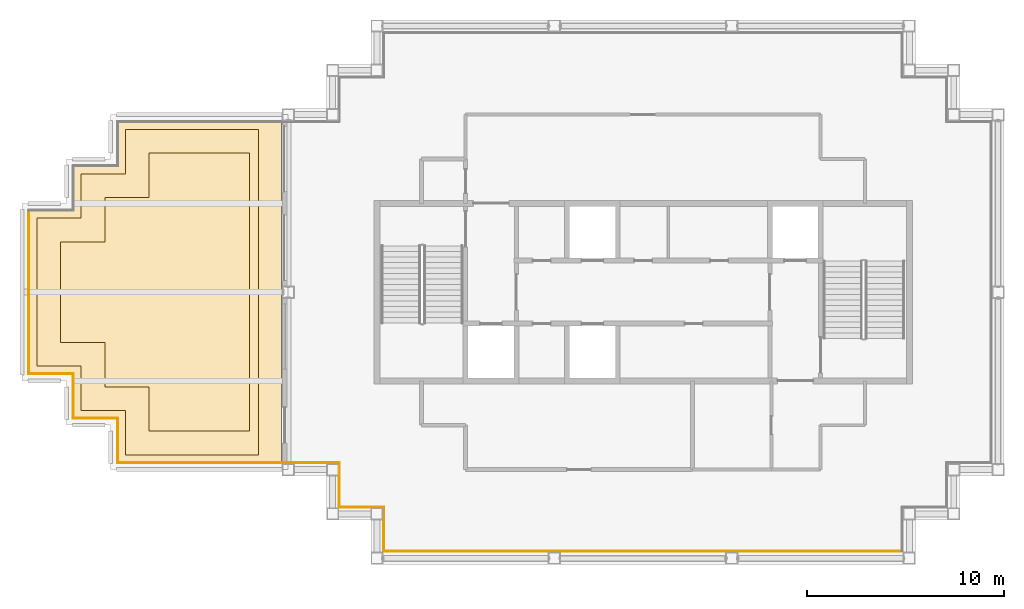
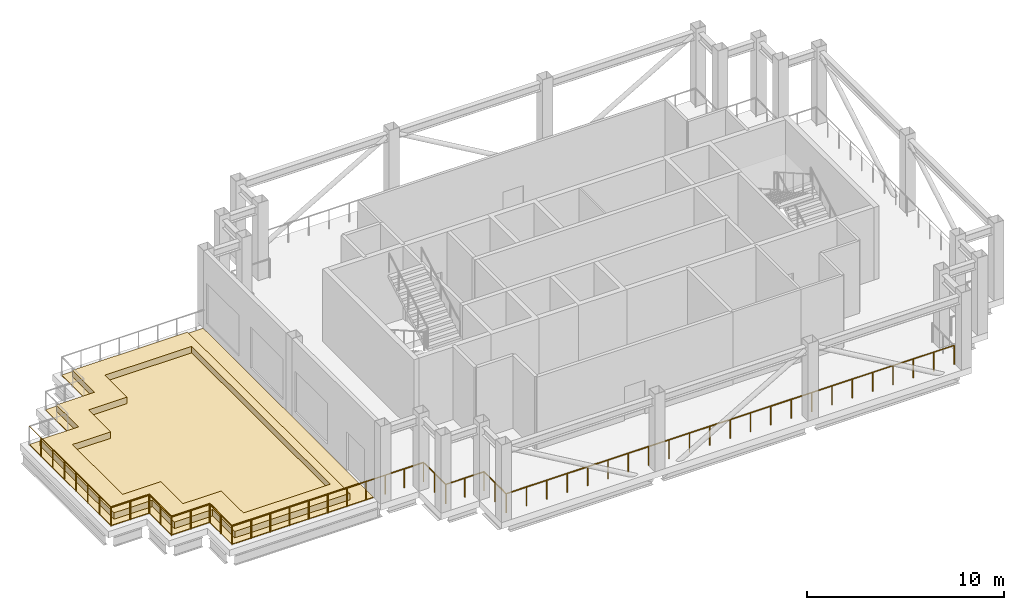
# One storey, part 6 of 9: 10 railings, 3 coverings.
"""IFC4 building model written with IfcOpenShell, lengths in metres."""

from ifc_helpers import new_model, si_unit, direction, frame, origin, origin_2d, place, context, subcontext, project, spatial, polyline, circle, outline, extrude, material, layer, layer_set, type_object, element, save


model = new_model("IFC4")

# Units and contexts
model_context = context("Model", 3, precision=1e-05, world=origin(), true_north=direction((0.0, 1.0)))
body_context = subcontext(model_context, "Body", "Model", "MODEL_VIEW")
ifc_project = project(units=[si_unit("LENGTHUNIT", "METRE"), si_unit("AREAUNIT", "SQUARE_METRE"), si_unit("VOLUMEUNIT", "CUBIC_METRE"), si_unit("PLANEANGLEUNIT", "RADIAN"), si_unit("MASSUNIT", "GRAM", prefix="KILO")], contexts=[model_context])

# Site, building, storey
site_placement = place(None, origin())
site = spatial("IfcSite", under=ifc_project, at=site_placement, CompositionType="ELEMENT")
building_placement = place(site_placement, origin())
building = spatial("IfcBuilding", under=site, at=building_placement, Name="Caravel Reach Hotel and Residences", CompositionType="ELEMENT")
storey_placement = place(building_placement, frame((0.0, 0.0, 278.60009765625)))
storey = spatial("IfcBuildingStorey", under=building, at=storey_placement, Name="L71", CompositionType="ELEMENT", Elevation=278.60009765625)

# Railings
ifc_material_1 = material(Name="Stainless steel S30408", Category="steel")
railing_type = type_object("IfcRailingType", Name="G1 Guard 1200 stainless", PredefinedType="GUARDRAIL", material=ifc_material_1)
railing_1_placement = place(storey_placement, frame((4.85009765625, 20.60009765625, 0.0)))
element("IfcRailing", 1, at=railing_1_placement, inside=storey, type_object=railing_type, Name="Guard L71 1 run 1", PredefinedType="GUARDRAIL", context=body_context, shape_type="SweptSolid", body=[
    extrude(circle(Radius=0.02392578125, at=origin_2d()), frame((0.0, 0.0, 1.17578125), z_axis=(0.0, -1.0, 0.0), x_axis=(1.0, 0.0, 0.0)), (0.0, 0.0, 1.0), 2.25),
    extrude(circle(Radius=0.02099609375, at=origin_2d()), origin(), (0.0, 0.0, 1.0), 1.15185546875),
    extrude(circle(Radius=0.02099609375, at=origin_2d()), frame((0.0, -1.125, 0.0)), (0.0, 0.0, 1.0), 1.15185546875),
    extrude(circle(Radius=0.02099609375, at=origin_2d()), frame((0.0, -2.25, 0.0)), (0.0, 0.0, 1.0), 1.15185546875),
])
railing_2_placement = place(storey_placement, frame((4.85009765625, 18.35009765625, 0.0)))
element("IfcRailing", 2, at=railing_2_placement, inside=storey, type_object=railing_type, Name="Guard L71 1 run 2", PredefinedType="GUARDRAIL", context=body_context, shape_type="SweptSolid", body=[
    extrude(circle(Radius=0.02392578125, at=origin_2d()), frame((0.0, 0.0, 1.17578125), z_axis=(1.0, 0.0, 0.0), x_axis=(0.0, 1.0, 0.0)), (0.0, 0.0, 1.0), 11.25),
    extrude(circle(Radius=0.02099609375, at=origin_2d()), frame((1.125, 0.0, 0.0)), (0.0, 0.0, 1.0), 1.15185546875),
    extrude(circle(Radius=0.02099609375, at=origin_2d()), frame((2.25, 0.0, 0.0)), (0.0, 0.0, 1.0), 1.15185546875),
    extrude(circle(Radius=0.02099609375, at=origin_2d()), frame((3.375, 0.0, 0.0)), (0.0, 0.0, 1.0), 1.15185546875),
    extrude(circle(Radius=0.02099609375, at=origin_2d()), frame((4.5, 0.0, 0.0)), (0.0, 0.0, 1.0), 1.15185546875),
    extrude(circle(Radius=0.02099609375, at=origin_2d()), frame((5.625, 0.0, 0.0)), (0.0, 0.0, 1.0), 1.15185546875),
    extrude(circle(Radius=0.02099609375, at=origin_2d()), frame((6.75, 0.0, 0.0)), (0.0, 0.0, 1.0), 1.15185546875),
    extrude(circle(Radius=0.02099609375, at=origin_2d()), frame((7.875, 0.0, 0.0)), (0.0, 0.0, 1.0), 1.15185546875),
    extrude(circle(Radius=0.02099609375, at=origin_2d()), frame((9.0, 0.0, 0.0)), (0.0, 0.0, 1.0), 1.15185546875),
    extrude(circle(Radius=0.02099609375, at=origin_2d()), frame((10.125, 0.0, 0.0)), (0.0, 0.0, 1.0), 1.15185546875),
    extrude(circle(Radius=0.02099609375, at=origin_2d()), frame((11.25, 0.0, 0.0)), (0.0, 0.0, 1.0), 1.15185546875),
])
railing_3_placement = place(storey_placement, frame((16.10009765625, 18.35009765625, 0.0)))
element("IfcRailing", 3, at=railing_3_placement, inside=storey, type_object=railing_type, Name="Guard L71 1 run 3", PredefinedType="GUARDRAIL", context=body_context, shape_type="SweptSolid", body=[
    extrude(circle(Radius=0.02392578125, at=origin_2d()), frame((0.0, 0.0, 1.17578125), z_axis=(0.0, -1.0, 0.0), x_axis=(1.0, 0.0, 0.0)), (0.0, 0.0, 1.0), 2.25),
    extrude(circle(Radius=0.02099609375, at=origin_2d()), frame((0.0, -1.125, 0.0)), (0.0, 0.0, 1.0), 1.15185546875),
    extrude(circle(Radius=0.02099609375, at=origin_2d()), frame((0.0, -2.25, 0.0)), (0.0, 0.0, 1.0), 1.15185546875),
])
railing_4_placement = place(storey_placement, frame((16.10009765625, 16.10009765625, 0.0)))
element("IfcRailing", 4, at=railing_4_placement, inside=storey, type_object=railing_type, Name="Guard L71 1 run 4", PredefinedType="GUARDRAIL", context=body_context, shape_type="SweptSolid", body=[
    extrude(circle(Radius=0.02392578125, at=origin_2d()), frame((0.0, 0.0, 1.17578125), z_axis=(1.0, 0.0, 0.0), x_axis=(0.0, 1.0, 0.0)), (0.0, 0.0, 1.0), 2.25),
    extrude(circle(Radius=0.02099609375, at=origin_2d()), frame((1.125, 0.0, 0.0)), (0.0, 0.0, 1.0), 1.15185546875),
    extrude(circle(Radius=0.02099609375, at=origin_2d()), frame((2.25, 0.0, 0.0)), (0.0, 0.0, 1.0), 1.15185546875),
])
railing_5_placement = place(storey_placement, frame((18.35009765625, 16.10009765625, 0.0)))
element("IfcRailing", 5, at=railing_5_placement, inside=storey, type_object=railing_type, Name="Guard L71 1 run 5", PredefinedType="GUARDRAIL", context=body_context, shape_type="SweptSolid", body=[
    extrude(circle(Radius=0.02392578125, at=origin_2d()), frame((0.0, 0.0, 1.17578125), z_axis=(0.0, -1.0, 0.0), x_axis=(1.0, 0.0, 0.0)), (0.0, 0.0, 1.0), 2.25),
    extrude(circle(Radius=0.02099609375, at=origin_2d()), frame((0.0, -1.125, 0.0)), (0.0, 0.0, 1.0), 1.15185546875),
    extrude(circle(Radius=0.02099609375, at=origin_2d()), frame((0.0, -2.25, 0.0)), (0.0, 0.0, 1.0), 1.15185546875),
])
railing_6_placement = place(storey_placement, frame((18.35009765625, 13.85009765625, 0.0)))
element("IfcRailing", 6, at=railing_6_placement, inside=storey, type_object=railing_type, Name="Guard L71 1 run 6", PredefinedType="GUARDRAIL", context=body_context, shape_type="SweptSolid", body=[
    extrude(circle(Radius=0.02392578125, at=origin_2d()), frame((0.0, 0.0, 1.17578125), z_axis=(1.0, 0.0, 0.0), x_axis=(0.0, 1.0, 0.0)), (0.0, 0.0, 1.0), 26.2998046875),
    extrude(circle(Radius=0.02099609375, at=origin_2d()), frame((1.195556640625, 0.0, 0.0)), (0.0, 0.0, 1.0), 1.15185546875),
    extrude(circle(Radius=0.02099609375, at=origin_2d()), frame((2.390869140625, 0.0, 0.0)), (0.0, 0.0, 1.0), 1.15185546875),
    extrude(circle(Radius=0.02099609375, at=origin_2d()), frame((3.58642578125, 0.0, 0.0)), (0.0, 0.0, 1.0), 1.15185546875),
    extrude(circle(Radius=0.02099609375, at=origin_2d()), frame((4.78173828125, 0.0, 0.0)), (0.0, 0.0, 1.0), 1.15185546875),
    extrude(circle(Radius=0.02099609375, at=origin_2d()), frame((5.977294921875, 0.0, 0.0)), (0.0, 0.0, 1.0), 1.15185546875),
    extrude(circle(Radius=0.02099609375, at=origin_2d()), frame((7.172607421875, 0.0, 0.0)), (0.0, 0.0, 1.0), 1.15185546875),
    extrude(circle(Radius=0.02099609375, at=origin_2d()), frame((8.3681640625, 0.0, 0.0)), (0.0, 0.0, 1.0), 1.15185546875),
    extrude(circle(Radius=0.02099609375, at=origin_2d()), frame((9.5634765625, 0.0, 0.0)), (0.0, 0.0, 1.0), 1.15185546875),
    extrude(circle(Radius=0.02099609375, at=origin_2d()), frame((10.759033203125, 0.0, 0.0)), (0.0, 0.0, 1.0), 1.15185546875),
    extrude(circle(Radius=0.02099609375, at=origin_2d()), frame((11.954345703125, 0.0, 0.0)), (0.0, 0.0, 1.0), 1.15185546875),
    extrude(circle(Radius=0.02099609375, at=origin_2d()), frame((13.14990234375, 0.0, 0.0)), (0.0, 0.0, 1.0), 1.15185546875),
    extrude(circle(Radius=0.02099609375, at=origin_2d()), frame((14.345458984375, 0.0, 0.0)), (0.0, 0.0, 1.0), 1.15185546875),
    extrude(circle(Radius=0.02099609375, at=origin_2d()), frame((15.540771484375, 0.0, 0.0)), (0.0, 0.0, 1.0), 1.15185546875),
    extrude(circle(Radius=0.02099609375, at=origin_2d()), frame((16.736328125, 0.0, 0.0)), (0.0, 0.0, 1.0), 1.15185546875),
    extrude(circle(Radius=0.02099609375, at=origin_2d()), frame((17.931640625, 0.0, 0.0)), (0.0, 0.0, 1.0), 1.15185546875),
    extrude(circle(Radius=0.02099609375, at=origin_2d()), frame((19.127197265625, 0.0, 0.0)), (0.0, 0.0, 1.0), 1.15185546875),
    extrude(circle(Radius=0.02099609375, at=origin_2d()), frame((20.322509765625, 0.0, 0.0)), (0.0, 0.0, 1.0), 1.15185546875),
    extrude(circle(Radius=0.02099609375, at=origin_2d()), frame((21.51806640625, 0.0, 0.0)), (0.0, 0.0, 1.0), 1.15185546875),
    extrude(circle(Radius=0.02099609375, at=origin_2d()), frame((22.71337890625, 0.0, 0.0)), (0.0, 0.0, 1.0), 1.15185546875),
    extrude(circle(Radius=0.02099609375, at=origin_2d()), frame((23.908935546875, 0.0, 0.0)), (0.0, 0.0, 1.0), 1.15185546875),
    extrude(circle(Radius=0.02099609375, at=origin_2d()), frame((25.104248046875, 0.0, 0.0)), (0.0, 0.0, 1.0), 1.15185546875),
    extrude(circle(Radius=0.02099609375, at=origin_2d()), frame((26.2998046875, 0.0, 0.0)), (0.0, 0.0, 1.0), 1.15185546875),
])
railing_7_placement = place(storey_placement, frame((0.35009765625, 31.14990234375, 0.0)))
element("IfcRailing", 7, at=railing_7_placement, inside=storey, type_object=railing_type, Name="Guard L71 1 run 25", PredefinedType="GUARDRAIL", context=body_context, shape_type="SweptSolid", body=[
    extrude(circle(Radius=0.02392578125, at=origin_2d()), frame((0.0, 0.0, 1.17578125), z_axis=(0.0, -1.0, 0.0), x_axis=(1.0, 0.0, 0.0)), (0.0, 0.0, 1.0), 8.2998046875),
    extrude(circle(Radius=0.02099609375, at=origin_2d()), frame((0.0, -1.185791015625, 0.0)), (0.0, 0.0, 1.0), 1.15185546875),
    extrude(circle(Radius=0.02099609375, at=origin_2d()), frame((0.0, -2.371337890625, 0.0)), (0.0, 0.0, 1.0), 1.15185546875),
    extrude(circle(Radius=0.02099609375, at=origin_2d()), frame((0.0, -3.55712890625, 0.0)), (0.0, 0.0, 1.0), 1.15185546875),
    extrude(circle(Radius=0.02099609375, at=origin_2d()), frame((0.0, -4.74267578125, 0.0)), (0.0, 0.0, 1.0), 1.15185546875),
    extrude(circle(Radius=0.02099609375, at=origin_2d()), frame((0.0, -5.928466796875, 0.0)), (0.0, 0.0, 1.0), 1.15185546875),
    extrude(circle(Radius=0.02099609375, at=origin_2d()), frame((0.0, -7.114013671875, 0.0)), (0.0, 0.0, 1.0), 1.15185546875),
    extrude(circle(Radius=0.02099609375, at=origin_2d()), frame((0.0, -8.2998046875, 0.0)), (0.0, 0.0, 1.0), 1.15185546875),
])
railing_8_placement = place(storey_placement, frame((0.35009765625, 22.85009765625, 0.0)))
element("IfcRailing", 8, at=railing_8_placement, inside=storey, type_object=railing_type, Name="Guard L71 1 run 26", PredefinedType="GUARDRAIL", context=body_context, shape_type="SweptSolid", body=[
    extrude(circle(Radius=0.02392578125, at=origin_2d()), frame((0.0, 0.0, 1.17578125), z_axis=(1.0, 0.0, 0.0), x_axis=(0.0, 1.0, 0.0)), (0.0, 0.0, 1.0), 2.25),
    extrude(circle(Radius=0.02099609375, at=origin_2d()), frame((1.125, 0.0, 0.0)), (0.0, 0.0, 1.0), 1.15185546875),
    extrude(circle(Radius=0.02099609375, at=origin_2d()), frame((2.25, 0.0, 0.0)), (0.0, 0.0, 1.0), 1.15185546875),
])
railing_9_placement = place(storey_placement, frame((2.60009765625, 22.85009765625, 0.0)))
element("IfcRailing", 9, at=railing_9_placement, inside=storey, type_object=railing_type, Name="Guard L71 1 run 27", PredefinedType="GUARDRAIL", context=body_context, shape_type="SweptSolid", body=[
    extrude(circle(Radius=0.02392578125, at=origin_2d()), frame((0.0, 0.0, 1.17578125), z_axis=(0.0, -1.0, 0.0), x_axis=(1.0, 0.0, 0.0)), (0.0, 0.0, 1.0), 2.25),
    extrude(circle(Radius=0.02099609375, at=origin_2d()), frame((0.0, -1.125, 0.0)), (0.0, 0.0, 1.0), 1.15185546875),
    extrude(circle(Radius=0.02099609375, at=origin_2d()), frame((0.0, -2.25, 0.0)), (0.0, 0.0, 1.0), 1.15185546875),
])
railing_10_placement = place(storey_placement, frame((2.60009765625, 20.60009765625, 0.0)))
element("IfcRailing", 10, at=railing_10_placement, inside=storey, type_object=railing_type, Name="Guard L71 1 run 28", PredefinedType="GUARDRAIL", context=body_context, shape_type="SweptSolid", body=[
    extrude(circle(Radius=0.02392578125, at=origin_2d()), frame((0.0, 0.0, 1.17578125), z_axis=(1.0, 0.0, 0.0), x_axis=(0.0, 1.0, 0.0)), (0.0, 0.0, 1.0), 2.25),
    extrude(circle(Radius=0.02099609375, at=origin_2d()), frame((1.125, 0.0, 0.0)), (0.0, 0.0, 1.0), 1.15185546875),
])

# Coverings
ifc_material_2 = material(Name="Planting soil in aluminium planter", Category="aluminium")
covering_type_1 = type_object("IfcCoveringType", Name="PL1 Planter bed 1200", PredefinedType="USERDEFINED", material=ifc_material_2)
covering_1_placement = place(storey_placement, origin())
element("IfcCovering", 11, at=covering_1_placement, inside=storey, type_object=covering_type_1, Name="Planter W1", ObjectType="PLANTER", PredefinedType="USERDEFINED", context=body_context, shape_type="SweptSolid", body=[
    extrude(outline(polyline([(3.0, 21.0), (5.25, 21.0), (5.25, 18.75), (12.0, 18.75), (12.0, 35.25), (5.25, 35.25), (5.25, 33.0), (3.0, 33.0), (3.0, 30.75), (0.75, 30.75), (0.75, 23.25), (3.0, 23.25), (3.0, 21.0)]), holes=[polyline([(11.550048828125, 34.050048828125), (11.550048828125, 19.949951171875), (6.449951171875, 19.949951171875), (6.449951171875, 22.199951171875), (4.199951171875, 22.199951171875), (4.199951171875, 24.449951171875), (1.949951171875, 24.449951171875), (1.949951171875, 29.550048828125), (4.199951171875, 29.550048828125), (4.199951171875, 31.800048828125), (6.449951171875, 31.800048828125), (6.449951171875, 34.050048828125), (11.550048828125, 34.050048828125)])]), origin(), (0.0, 0.0, 1.0), 0.449951171875),
])
ifc_material_3 = material(Name="Porcelain paving")
ifc_layer = layer(ifc_material_3, 0.050048828125)
ifc_layer_set = layer_set([ifc_layer], Name="TF1 Terrace paving finish 50")
covering_type_2 = type_object("IfcCoveringType", Name="TF1 Terrace paving finish 50", PredefinedType="FLOORING", material=ifc_layer_set)
covering_2_placement = place(storey_placement, origin())
element("IfcCovering", 12, at=covering_2_placement, inside=storey, type_object=covering_type_2, Name="Terrace paving W1", PredefinedType="FLOORING", context=body_context, shape_type="SweptSolid", body=[
    extrude(outline(polyline([(4.85009765625, 20.60009765625), (4.85009765625, 18.35009765625), (13.14990234375, 18.35009765625), (13.14990234375, 35.64990234375), (4.85009765625, 35.64990234375), (4.85009765625, 33.39990234375), (2.60009765625, 33.39990234375), (2.60009765625, 31.14990234375), (0.35009765625, 31.14990234375), (0.35009765625, 22.85009765625), (2.60009765625, 22.85009765625), (2.60009765625, 20.60009765625), (4.85009765625, 20.60009765625)]), holes=[polyline([(5.25, 21.0), (3.0, 21.0), (3.0, 23.25), (0.75, 23.25), (0.75, 30.75), (3.0, 30.75), (3.0, 33.0), (5.25, 33.0), (5.25, 35.25), (12.0, 35.25), (12.0, 18.75), (5.25, 18.75), (5.25, 21.0)])]), origin(), (0.0, 0.0, 1.0), 0.0498046875),
])
covering_3_placement = place(storey_placement, origin())
element("IfcCovering", 13, at=covering_3_placement, inside=storey, type_object=covering_type_2, Name="Terrace paving W2", PredefinedType="FLOORING", context=body_context, shape_type="SweptSolid", body=[
    extrude(outline(polyline([(11.550048828125, 19.949951171875), (11.550048828125, 34.050048828125), (6.449951171875, 34.050048828125), (6.449951171875, 31.800048828125), (4.199951171875, 31.800048828125), (4.199951171875, 29.550048828125), (1.949951171875, 29.550048828125), (1.949951171875, 24.449951171875), (4.199951171875, 24.449951171875), (4.199951171875, 22.199951171875), (6.449951171875, 22.199951171875), (6.449951171875, 19.949951171875), (11.550048828125, 19.949951171875)])), origin(), (0.0, 0.0, 1.0), 0.0498046875),
])

save(model, "model.ifc")
